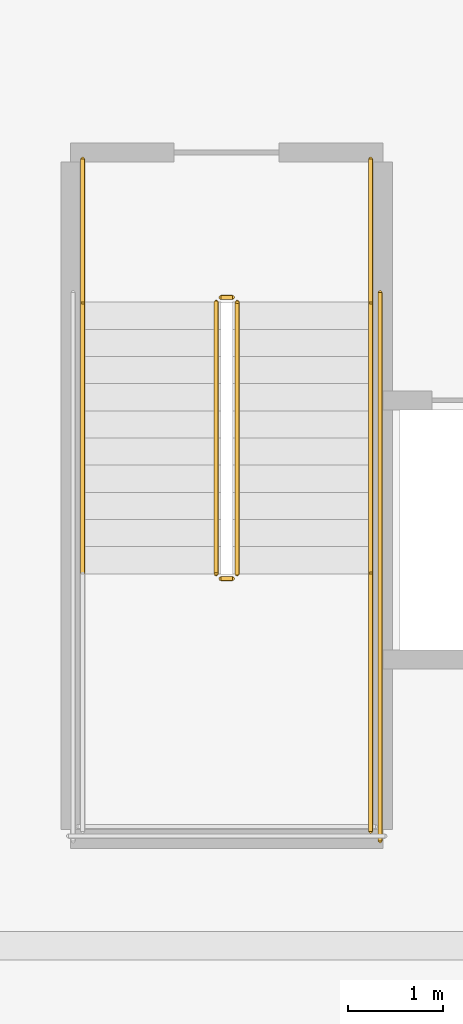
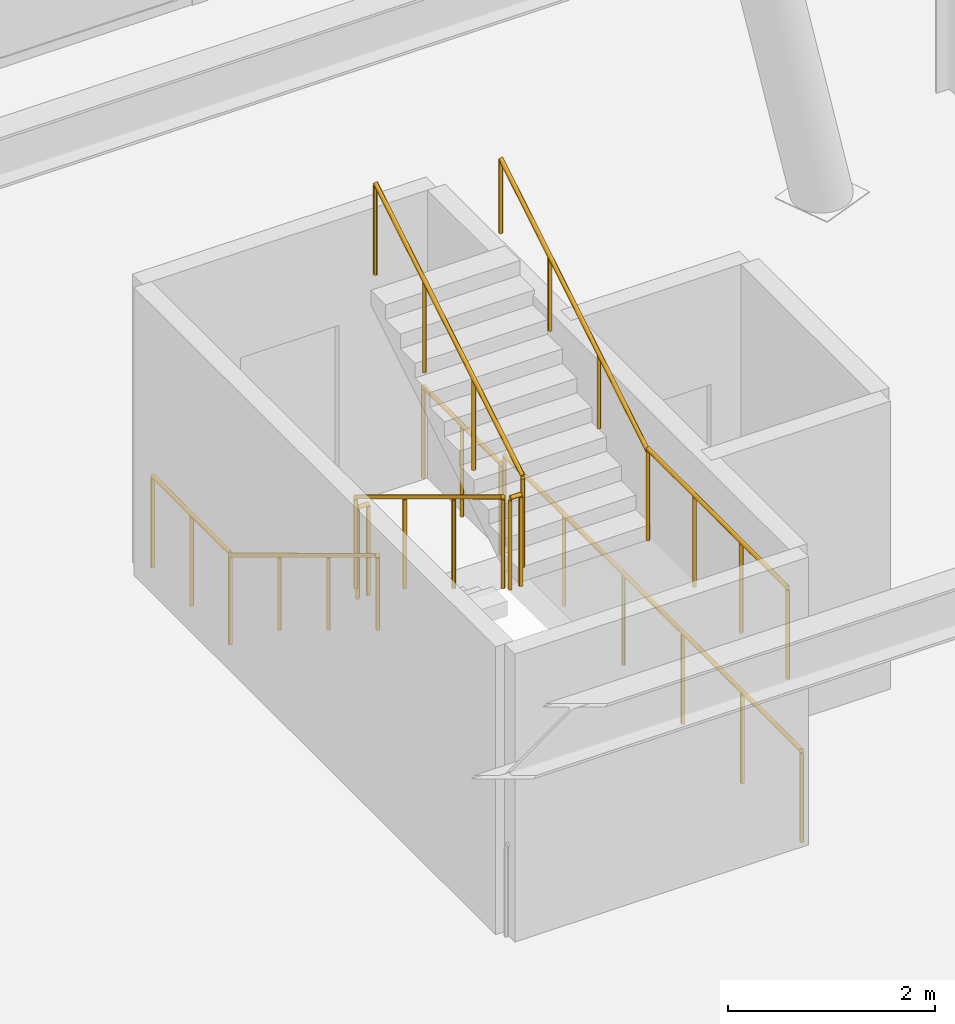
# One storey, part 17 of 18: 10 railings.
"""IFC4 building model written with IfcOpenShell, lengths in metres."""

from ifc_helpers import new_model, si_unit, direction, frame, origin, origin_2d, place, context, subcontext, project, spatial, circle, extrude, material, type_object, element, save


model = new_model("IFC4")

# Units and contexts
model_context = context("Model", 3, precision=1e-05, world=origin(), true_north=direction((0.0, 1.0)))
body_context = subcontext(model_context, "Body", "Model", "MODEL_VIEW")
ifc_project = project(units=[si_unit("LENGTHUNIT", "METRE"), si_unit("AREAUNIT", "SQUARE_METRE"), si_unit("VOLUMEUNIT", "CUBIC_METRE"), si_unit("PLANEANGLEUNIT", "RADIAN"), si_unit("MASSUNIT", "GRAM", prefix="KILO")], contexts=[model_context])

# Site, building, storey
site_placement = place(None, origin())
site = spatial("IfcSite", under=ifc_project, at=site_placement, CompositionType="ELEMENT")
building_placement = place(site_placement, origin())
building = spatial("IfcBuilding", under=site, at=building_placement, Name="Qobustan Lattice House", CompositionType="ELEMENT")
storey_placement = place(building_placement, frame((0.0, 0.0, 277.800048828125)))
storey = spatial("IfcBuildingStorey", under=building, at=storey_placement, Name="L78", CompositionType="ELEMENT", Elevation=277.800048828125)

# Railings
ifc_material_1 = material(Name="Brushed stainless steel handrail", Category="steel")
railing_type_1 = type_object("IfcRailingType", Name="RAL-HR-920", PredefinedType="HANDRAIL", material=ifc_material_1)
railing_1_placement = place(storey_placement, frame((-1.510009765625, 1.14990234375, 0.172607421875)))
element("IfcRailing", 1, at=railing_1_placement, inside=storey, type_object=railing_type_1, Name="L78 ST-C1 stair handrail 1", PredefinedType="HANDRAIL", context=body_context, shape_type="SweptSolid", body=[
    extrude(circle(Radius=0.02392578125, at=origin_2d()), frame((0.0, 0.0, 0.8759765625), z_axis=(0.0, -0.855183070636, 0.518326070826), x_axis=(1.0, 0.0, 0.0)), (0.0, 0.0, 1.0), 3.33251953125),
    extrude(circle(Radius=0.02099609375, at=origin_2d()), origin(), (0.0, 0.0, 1.0), 0.851806640625),
    extrude(circle(Radius=0.02099609375, at=origin_2d()), frame((0.0, -0.949951171875, 0.57568359375)), (0.0, 0.0, 1.0), 0.851806640625),
    extrude(circle(Radius=0.02099609375, at=origin_2d()), frame((0.0, -1.89990234375, 1.151611328125)), (0.0, 0.0, 1.0), 0.851806640625),
    extrude(circle(Radius=0.02099609375, at=origin_2d()), frame((0.0, -2.849853515625, 1.727294921875)), (0.0, 0.0, 1.0), 0.851806640625),
])
railing_2_placement = place(storey_placement, frame((1.510009765625, -1.699951171875, 2.07275390625)))
element("IfcRailing", 2, at=railing_2_placement, inside=storey, type_object=railing_type_1, Name="L78 ST-C1 stair handrail 2", PredefinedType="HANDRAIL", context=body_context, shape_type="SweptSolid", body=[
    extrude(circle(Radius=0.02392578125, at=origin_2d()), frame((0.0, 0.0, 0.8759765625), z_axis=(0.0, 0.855183070636, 0.518326070826), x_axis=(-1.0, 0.0, 0.0)), (0.0, 0.0, 1.0), 3.33251953125),
    extrude(circle(Radius=0.02099609375, at=origin_2d()), origin(), (0.0, 0.0, 1.0), 0.851806640625),
    extrude(circle(Radius=0.02099609375, at=origin_2d()), frame((0.0, 0.949951171875, 0.57568359375)), (0.0, 0.0, 1.0), 0.851806640625),
    extrude(circle(Radius=0.02099609375, at=origin_2d()), frame((0.0, 1.89990234375, 1.151611328125)), (0.0, 0.0, 1.0), 0.851806640625),
    extrude(circle(Radius=0.02099609375, at=origin_2d()), frame((0.0, 2.849853515625, 1.727294921875)), (0.0, 0.0, 1.0), 0.851806640625),
])
ifc_material_2 = material(Name="Painted galvanized steel guardrail", Category="steel")
railing_type_2 = type_object("IfcRailingType", Name="RAL-STG-1150", PredefinedType="GUARDRAIL", material=ifc_material_2)
railing_3_placement = place(storey_placement, frame((-0.110107421875, 1.14990234375, 0.172607421875)))
element("IfcRailing", 3, at=railing_3_placement, inside=storey, type_object=railing_type_2, Name="L78 ST-C1 stair guard 1", PredefinedType="GUARDRAIL", context=body_context, shape_type="SweptSolid", body=[
    extrude(circle(Radius=0.02392578125, at=origin_2d()), frame((0.0, 0.0, 1.076171875), z_axis=(0.0, -0.855183070636, 0.518326070826), x_axis=(1.0, 0.0, 0.0)), (0.0, 0.0, 1.0), 3.33251953125),
    extrude(circle(Radius=0.02099609375, at=origin_2d()), origin(), (0.0, 0.0, 1.0), 1.052001953125),
    extrude(circle(Radius=0.02099609375, at=origin_2d()), frame((0.0, -0.949951171875, 0.57568359375)), (0.0, 0.0, 1.0), 1.052001953125),
    extrude(circle(Radius=0.02099609375, at=origin_2d()), frame((0.0, -1.89990234375, 1.151611328125)), (0.0, 0.0, 1.0), 1.052001953125),
    extrude(circle(Radius=0.02099609375, at=origin_2d()), frame((0.0, -2.849853515625, 1.727294921875)), (0.0, 0.0, 1.0), 1.052001953125),
])
railing_4_placement = place(storey_placement, frame((-0.06005859375, -1.75, 1.89990234375)))
element("IfcRailing", 4, at=railing_4_placement, inside=storey, type_object=railing_type_2, Name="L78 ST-C1 stair guard 2", PredefinedType="GUARDRAIL", context=body_context, shape_type="SweptSolid", body=[
    extrude(circle(Radius=0.02392578125, at=origin_2d()), frame((0.0, 0.0, 1.076171875), z_axis=(1.0, 0.0, 0.0), x_axis=(0.0, 1.0, 0.0)), (0.0, 0.0, 1.0), 0.1201171875),
    extrude(circle(Radius=0.02099609375, at=origin_2d()), origin(), (0.0, 0.0, 1.0), 1.052001953125),
    extrude(circle(Radius=0.02099609375, at=origin_2d()), frame((0.1201171875, 0.0, 0.0)), (0.0, 0.0, 1.0), 1.052001953125),
])
railing_5_placement = place(storey_placement, frame((1.510009765625, -1.699951171875, 1.89990234375)))
element("IfcRailing", 5, at=railing_5_placement, inside=storey, type_object=railing_type_2, Name="L78 ST-C1 stair guard 4", PredefinedType="GUARDRAIL", context=body_context, shape_type="SweptSolid", body=[
    extrude(circle(Radius=0.02392578125, at=origin_2d()), frame((0.0, 0.0, 1.076171875), z_axis=(0.0, -1.0, 0.0), x_axis=(1.0, 0.0, 0.0)), (0.0, 0.0, 1.0), 2.699951171875),
    extrude(circle(Radius=0.02099609375, at=origin_2d()), origin(), (0.0, 0.0, 1.0), 1.052001953125),
    extrude(circle(Radius=0.02099609375, at=origin_2d()), frame((0.0, -0.89990234375, 0.0)), (0.0, 0.0, 1.0), 1.052001953125),
    extrude(circle(Radius=0.02099609375, at=origin_2d()), frame((0.0, -1.800048828125, 0.0)), (0.0, 0.0, 1.0), 1.052001953125),
    extrude(circle(Radius=0.02099609375, at=origin_2d()), frame((0.0, -2.699951171875, 0.0)), (0.0, 0.0, 1.0), 1.052001953125),
])
railing_6_placement = place(storey_placement, frame((0.110107421875, -1.699951171875, 2.07275390625)))
element("IfcRailing", 6, at=railing_6_placement, inside=storey, type_object=railing_type_2, Name="L78 ST-C1 stair guard 6", PredefinedType="GUARDRAIL", context=body_context, shape_type="SweptSolid", body=[
    extrude(circle(Radius=0.02392578125, at=origin_2d()), frame((0.0, 0.0, 1.076171875), z_axis=(0.0, 0.855183070636, 0.518326070826), x_axis=(-1.0, 0.0, 0.0)), (0.0, 0.0, 1.0), 3.33251953125),
    extrude(circle(Radius=0.02099609375, at=origin_2d()), origin(), (0.0, 0.0, 1.0), 1.052001953125),
    extrude(circle(Radius=0.02099609375, at=origin_2d()), frame((0.0, 0.949951171875, 0.57568359375)), (0.0, 0.0, 1.0), 1.052001953125),
    extrude(circle(Radius=0.02099609375, at=origin_2d()), frame((0.0, 1.89990234375, 1.151611328125)), (0.0, 0.0, 1.0), 1.052001953125),
    extrude(circle(Radius=0.02099609375, at=origin_2d()), frame((0.0, 2.849853515625, 1.727294921875)), (0.0, 0.0, 1.0), 1.052001953125),
])
railing_7_placement = place(storey_placement, frame((-0.06005859375, 1.199951171875, 0.0)))
element("IfcRailing", 7, at=railing_7_placement, inside=storey, type_object=railing_type_2, Name="L78 ST-C1 stair guard 7", PredefinedType="GUARDRAIL", context=body_context, shape_type="SweptSolid", body=[
    extrude(circle(Radius=0.02392578125, at=origin_2d()), frame((0.0, 0.0, 1.076171875), z_axis=(1.0, 0.0, 0.0), x_axis=(0.0, 1.0, 0.0)), (0.0, 0.0, 1.0), 0.1201171875),
    extrude(circle(Radius=0.02099609375, at=origin_2d()), origin(), (0.0, 0.0, 1.0), 1.052001953125),
    extrude(circle(Radius=0.02099609375, at=origin_2d()), frame((0.1201171875, 0.0, 0.0)), (0.0, 0.0, 1.0), 1.052001953125),
])
for number, where, name in (
    (8, (-1.510009765625, 2.64990234375, 0.0), "L78 ST-C1 stair guard 8"),
    (9, (1.510009765625, 2.64990234375, 0.0), "L78 ST-C1 stair guard 9"),
):
    element("IfcRailing", number, at=place(storey_placement, frame(where)), inside=storey, type_object=railing_type_2, Name=name, PredefinedType="GUARDRAIL", context=body_context, shape_type="SweptSolid", body=[
        extrude(circle(Radius=0.02392578125, at=origin_2d()), frame((0.0, 0.0, 1.076171875), z_axis=(0.0, -1.0, 0.0), x_axis=(1.0, 0.0, 0.0)), (0.0, 0.0, 1.0), 1.5),
        extrude(circle(Radius=0.02099609375, at=origin_2d()), origin(), (0.0, 0.0, 1.0), 1.052001953125),
        extrude(circle(Radius=0.02099609375, at=origin_2d()), frame((0.0, -0.75, 0.0)), (0.0, 0.0, 1.0), 1.052001953125),
        extrude(circle(Radius=0.02099609375, at=origin_2d()), frame((0.0, -1.5, 0.0)), (0.0, 0.0, 1.0), 1.052001953125),
    ])
railing_8_placement = place(storey_placement, frame((1.610107421875, 1.25, 0.0)))
element("IfcRailing", 10, at=railing_8_placement, inside=storey, type_object=railing_type_2, Name="L78 ST-C1 stair guard 11", PredefinedType="GUARDRAIL", context=body_context, shape_type="SweptSolid", body=[
    extrude(circle(Radius=0.02392578125, at=origin_2d()), frame((0.0, 0.0, 1.076171875), z_axis=(0.0, -1.0, 0.0), x_axis=(1.0, 0.0, 0.0)), (0.0, 0.0, 1.0), 5.75),
    extrude(circle(Radius=0.02099609375, at=origin_2d()), origin(), (0.0, 0.0, 1.0), 1.052001953125),
    extrude(circle(Radius=0.02099609375, at=origin_2d()), frame((0.0, -1.14990234375, 0.0)), (0.0, 0.0, 1.0), 1.052001953125),
    extrude(circle(Radius=0.02099609375, at=origin_2d()), frame((0.0, -2.300048828125, 0.0)), (0.0, 0.0, 1.0), 1.052001953125),
    extrude(circle(Radius=0.02099609375, at=origin_2d()), frame((0.0, -3.449951171875, 0.0)), (0.0, 0.0, 1.0), 1.052001953125),
    extrude(circle(Radius=0.02099609375, at=origin_2d()), frame((0.0, -4.60009765625, 0.0)), (0.0, 0.0, 1.0), 1.052001953125),
    extrude(circle(Radius=0.02099609375, at=origin_2d()), frame((0.0, -5.75, 0.0)), (0.0, 0.0, 1.0), 1.052001953125),
])

save(model, "model.ifc")
